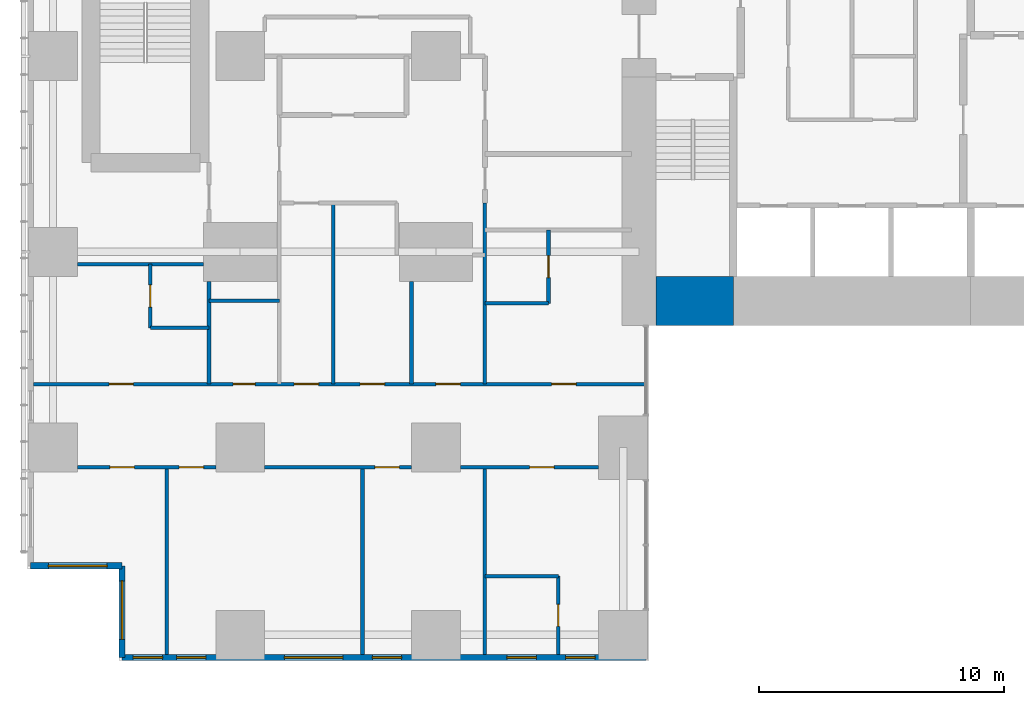
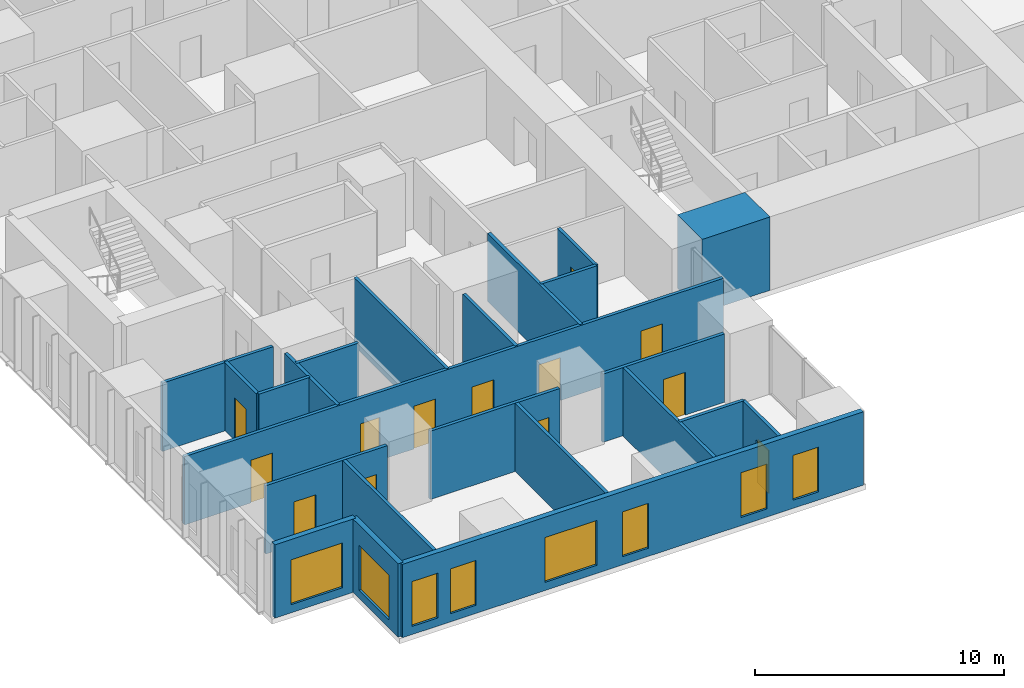
# One storey, part 12 of 21: 23 walls, 13 doors, 8 windows, 21 openings.
"""IFC4 building model written with IfcOpenShell, lengths in metres."""

from ifc_helpers import new_model, si_unit, direction, frame, frame_2d, origin, place, context, subcontext, project, spatial, rectangle, extrude, material, layer, layer_set, type_object, element, fill, save


model = new_model("IFC4")

# Units and contexts
model_context = context("Model", 3, precision=1e-05, world=origin(), true_north=direction((0.0, 1.0)))
body_context = subcontext(model_context, "Body", "Model", "MODEL_VIEW")
ifc_project = project(units=[si_unit("LENGTHUNIT", "METRE"), si_unit("AREAUNIT", "SQUARE_METRE"), si_unit("VOLUMEUNIT", "CUBIC_METRE"), si_unit("PLANEANGLEUNIT", "RADIAN"), si_unit("MASSUNIT", "GRAM", prefix="KILO")], contexts=[model_context])

# Site, building, storey
site_placement = place(None, origin())
site = spatial("IfcSite", under=ifc_project, at=site_placement, CompositionType="ELEMENT")
building_placement = place(site_placement, origin())
building = spatial("IfcBuilding", under=site, at=building_placement, Name="Cleftline Residences", CompositionType="ELEMENT")
storey_placement = place(building_placement, frame((0.0, 0.0, 161.0)))
storey = spatial("IfcBuildingStorey", under=building, at=storey_placement, Name="L42", CompositionType="ELEMENT", Elevation=161.0)

# Wall
ifc_material_1 = material(Name="Concrete B70", Category="concrete")
ifc_layer_1 = layer(ifc_material_1, 2.0)
ifc_layer_set_1 = layer_set([ifc_layer_1], Name="CORE WALL 2000")
wall_type_1 = type_object("IfcWallType", Name="CORE WALL 2000", PredefinedType="SHEAR", material=ifc_layer_set_1)
wall_1_placement = place(storey_placement, frame((25.0, 14.0, 0.0), z_axis=(0.0, 0.0, 1.0), x_axis=(1.0, 0.0, 0.0)))
element("IfcWall", 1, at=wall_1_placement, inside=storey, type_object=wall_type_1, Name="Core wall S1", PredefinedType="SHEAR", context=body_context, shape_type="SweptSolid", body=[
    extrude(rectangle(XDim=3.14990234375, YDim=2.0, at=frame_2d((1.574951171875, 0.0))), origin(), (0.0, 0.0, 1.0), 3.60009765625),
])

# Wall, opening, window
ifc_material_2 = material(Name="Rendered reinforced concrete blockwork", Category="masonry")
ifc_layer_2 = layer(ifc_material_2, 0.25)
ifc_layer_set_2 = layer_set([ifc_layer_2], Name="EXTERNAL WALL 250")
wall_type_2 = type_object("IfcWallType", Name="EXTERNAL WALL 250", PredefinedType="SOLIDWALL", material=ifc_layer_set_2)
wall_2_placement = place(storey_placement, frame((-0.574951171875, 3.175048828125, 0.0), z_axis=(0.0, 0.0, 1.0), x_axis=(1.0, 0.0, 0.0)))
wall_2 = element("IfcWall", 2, at=wall_2_placement, inside=storey, type_object=wall_type_2, Name="External wall", PredefinedType="SOLIDWALL", context=body_context, shape_type="SweptSolid", body=[
    extrude(rectangle(XDim=3.75, YDim=0.25, at=frame_2d((1.875, 0.0))), origin(), (0.0, 0.0, 1.0), 3.60009765625),
])
opening_1_placement = place(wall_2_placement, frame((0.737548828125, 0.0, 0.39990234375)))
opening_1 = element("IfcOpeningElement", 3, at=opening_1_placement, cuts=wall_2, Name="Opening W12", PredefinedType="OPENING", context=body_context, shape_type="SweptSolid", body=[
    extrude(rectangle(XDim=2.39990234375, YDim=2.199951171875, at=frame_2d((1.199951171875, 1.10009765625))), frame((0.0, 0.135009765625, 0.0), z_axis=(0.0, -1.0, 0.0), x_axis=(1.0, 0.0, 0.0)), (0.0, 0.0, 1.0), 0.27001953125),
])
ifc_material_3 = material(Name="Aluminium frame, clear double glazing", Category="aluminium")
window_type_1 = type_object("IfcWindowType", Name="WINDOW 2400X2200", PartitioningType="DOUBLE_PANEL_VERTICAL", PredefinedType="WINDOW", material=ifc_material_3)
window_1_placement = place(opening_1_placement, origin())
window_1 = element("IfcWindow", 4, at=window_1_placement, inside=storey, type_object=window_type_1, Name="Window", OverallHeight=2.199951171875, OverallWidth=2.39990234375, PartitioningType="SINGLE_PANEL", PredefinedType="WINDOW", context=body_context, shape_type="SweptSolid", body=[
    extrude(rectangle(XDim=2.39990234375, YDim=2.199951171875, at=frame_2d((1.199951171875, 1.10009765625))), frame((0.0, 0.030029296875, 0.0), z_axis=(0.0, -1.0, 0.0), x_axis=(1.0, 0.0, 0.0)), (0.0, 0.0, 1.0), 0.06005859375),
])
fill(opening_1, window_1)

wall_3_placement = place(storey_placement, frame((3.175048828125, 3.175048828125, 0.0), z_axis=(0.0, 0.0, 1.0), x_axis=(0.0, -1.0, 0.0)))
wall_3 = element("IfcWall", 5, at=wall_3_placement, inside=storey, type_object=wall_type_2, Name="External wall", PredefinedType="SOLIDWALL", context=body_context, shape_type="SweptSolid", body=[
    extrude(rectangle(XDim=3.75, YDim=0.25, at=frame_2d((1.875, 0.0))), origin(), (0.0, 0.0, 1.0), 3.60009765625),
])
opening_2_placement = place(wall_3_placement, frame((0.612548828125, 0.0, 0.39990234375)))
opening_2 = element("IfcOpeningElement", 6, at=opening_2_placement, cuts=wall_3, Name="Opening W12", PredefinedType="OPENING", context=body_context, shape_type="SweptSolid", body=[
    extrude(rectangle(XDim=2.39990234375, YDim=2.199951171875, at=frame_2d((1.199951171875, 1.10009765625))), frame((0.0, 0.135009765625, 0.0), z_axis=(0.0, -1.0, 0.0), x_axis=(1.0, 0.0, 0.0)), (0.0, 0.0, 1.0), 0.27001953125),
])
window_2_placement = place(opening_2_placement, origin())
window_2 = element("IfcWindow", 7, at=window_2_placement, inside=storey, type_object=window_type_1, Name="Window", OverallHeight=2.199951171875, OverallWidth=2.39990234375, PartitioningType="SINGLE_PANEL", PredefinedType="WINDOW", context=body_context, shape_type="SweptSolid", body=[
    extrude(rectangle(XDim=2.39990234375, YDim=2.199951171875, at=frame_2d((1.199951171875, 1.10009765625))), frame((0.0, 0.030029296875, 0.0), z_axis=(0.0, -1.0, 0.0), x_axis=(1.0, 0.0, 0.0)), (0.0, 0.0, 1.0), 0.06005859375),
])
fill(opening_2, window_2)

# Wall, openings, windows
wall_4_placement = place(storey_placement, frame((3.175048828125, -0.574951171875, 0.0), z_axis=(0.0, 0.0, 1.0), x_axis=(1.0, 0.0, 0.0)))
wall_4 = element("IfcWall", 8, at=wall_4_placement, inside=storey, type_object=wall_type_2, Name="External wall", PredefinedType="SOLIDWALL", context=body_context, shape_type="SweptSolid", body=[
    extrude(rectangle(XDim=21.39990234375, YDim=0.25, at=frame_2d((10.699951171875, 0.0))), origin(), (0.0, 0.0, 1.0), 3.60009765625),
])
opening_3_placement = place(wall_4_placement, frame((0.449951171875, 0.0, 0.39990234375)))
opening_3 = element("IfcOpeningElement", 9, at=opening_3_placement, cuts=wall_4, Name="Opening W11", PredefinedType="OPENING", context=body_context, shape_type="SweptSolid", body=[
    extrude(rectangle(XDim=1.199951171875, YDim=2.199951171875, at=frame_2d((0.60009765625, 1.10009765625))), frame((0.0, 0.135009765625, 0.0), z_axis=(0.0, -1.0, 0.0), x_axis=(1.0, 0.0, 0.0)), (0.0, 0.0, 1.0), 0.27001953125),
])
opening_4_placement = place(wall_4_placement, frame((2.22509765625, 0.0, 0.39990234375)))
opening_4 = element("IfcOpeningElement", 10, at=opening_4_placement, cuts=wall_4, Name="Opening W11", PredefinedType="OPENING", context=body_context, shape_type="SweptSolid", body=[
    extrude(rectangle(XDim=1.199951171875, YDim=2.199951171875, at=frame_2d((0.60009765625, 1.10009765625))), frame((0.0, 0.135009765625, 0.0), z_axis=(0.0, -1.0, 0.0), x_axis=(1.0, 0.0, 0.0)), (0.0, 0.0, 1.0), 0.27001953125),
])
opening_5_placement = place(wall_4_placement, frame((6.625, 0.0, 0.39990234375)))
opening_5 = element("IfcOpeningElement", 11, at=opening_5_placement, cuts=wall_4, Name="Opening W12", PredefinedType="OPENING", context=body_context, shape_type="SweptSolid", body=[
    extrude(rectangle(XDim=2.39990234375, YDim=2.199951171875, at=frame_2d((1.199951171875, 1.10009765625))), frame((0.0, 0.135009765625, 0.0), z_axis=(0.0, -1.0, 0.0), x_axis=(1.0, 0.0, 0.0)), (0.0, 0.0, 1.0), 0.27001953125),
])
opening_6_placement = place(wall_4_placement, frame((10.22509765625, 0.0, 0.39990234375)))
opening_6 = element("IfcOpeningElement", 12, at=opening_6_placement, cuts=wall_4, Name="Opening W11", PredefinedType="OPENING", context=body_context, shape_type="SweptSolid", body=[
    extrude(rectangle(XDim=1.199951171875, YDim=2.199951171875, at=frame_2d((0.60009765625, 1.10009765625))), frame((0.0, 0.135009765625, 0.0), z_axis=(0.0, -1.0, 0.0), x_axis=(1.0, 0.0, 0.0)), (0.0, 0.0, 1.0), 0.27001953125),
])
opening_7_placement = place(wall_4_placement, frame((15.72509765625, 0.0, 0.39990234375)))
opening_7 = element("IfcOpeningElement", 13, at=opening_7_placement, cuts=wall_4, Name="Opening W11", PredefinedType="OPENING", context=body_context, shape_type="SweptSolid", body=[
    extrude(rectangle(XDim=1.199951171875, YDim=2.199951171875, at=frame_2d((0.60009765625, 1.10009765625))), frame((0.0, 0.135009765625, 0.0), z_axis=(0.0, -1.0, 0.0), x_axis=(1.0, 0.0, 0.0)), (0.0, 0.0, 1.0), 0.27001953125),
])
opening_8_placement = place(wall_4_placement, frame((18.125, 0.0, 0.39990234375)))
opening_8 = element("IfcOpeningElement", 14, at=opening_8_placement, cuts=wall_4, Name="Opening W11", PredefinedType="OPENING", context=body_context, shape_type="SweptSolid", body=[
    extrude(rectangle(XDim=1.199951171875, YDim=2.199951171875, at=frame_2d((0.60009765625, 1.10009765625))), frame((0.0, 0.135009765625, 0.0), z_axis=(0.0, -1.0, 0.0), x_axis=(1.0, 0.0, 0.0)), (0.0, 0.0, 1.0), 0.27001953125),
])
ifc_material_4 = material(Name="Aluminium frame, clear double glazing", Category="aluminium")
window_type_2 = type_object("IfcWindowType", Name="WINDOW 1200X2200", PartitioningType="DOUBLE_PANEL_VERTICAL", PredefinedType="WINDOW", material=ifc_material_4)
window_3_placement = place(opening_3_placement, origin())
window_3 = element("IfcWindow", 15, at=window_3_placement, inside=storey, type_object=window_type_2, Name="Window", OverallHeight=2.199951171875, OverallWidth=1.199951171875, PartitioningType="SINGLE_PANEL", PredefinedType="WINDOW", context=body_context, shape_type="SweptSolid", body=[
    extrude(rectangle(XDim=1.199951171875, YDim=2.199951171875, at=frame_2d((0.60009765625, 1.10009765625))), frame((0.0, 0.030029296875, 0.0), z_axis=(0.0, -1.0, 0.0), x_axis=(1.0, 0.0, 0.0)), (0.0, 0.0, 1.0), 0.06005859375),
])
fill(opening_3, window_3)
window_4_placement = place(opening_4_placement, origin())
window_4 = element("IfcWindow", 16, at=window_4_placement, inside=storey, type_object=window_type_2, Name="Window", OverallHeight=2.199951171875, OverallWidth=1.199951171875, PartitioningType="SINGLE_PANEL", PredefinedType="WINDOW", context=body_context, shape_type="SweptSolid", body=[
    extrude(rectangle(XDim=1.199951171875, YDim=2.199951171875, at=frame_2d((0.60009765625, 1.10009765625))), frame((0.0, 0.030029296875, 0.0), z_axis=(0.0, -1.0, 0.0), x_axis=(1.0, 0.0, 0.0)), (0.0, 0.0, 1.0), 0.06005859375),
])
fill(opening_4, window_4)
window_5_placement = place(opening_6_placement, origin())
window_5 = element("IfcWindow", 17, at=window_5_placement, inside=storey, type_object=window_type_2, Name="Window", OverallHeight=2.199951171875, OverallWidth=1.199951171875, PartitioningType="SINGLE_PANEL", PredefinedType="WINDOW", context=body_context, shape_type="SweptSolid", body=[
    extrude(rectangle(XDim=1.199951171875, YDim=2.199951171875, at=frame_2d((0.60009765625, 1.10009765625))), frame((0.0, 0.030029296875, 0.0), z_axis=(0.0, -1.0, 0.0), x_axis=(1.0, 0.0, 0.0)), (0.0, 0.0, 1.0), 0.06005859375),
])
fill(opening_6, window_5)
window_6_placement = place(opening_7_placement, origin())
window_6 = element("IfcWindow", 18, at=window_6_placement, inside=storey, type_object=window_type_2, Name="Window", OverallHeight=2.199951171875, OverallWidth=1.199951171875, PartitioningType="SINGLE_PANEL", PredefinedType="WINDOW", context=body_context, shape_type="SweptSolid", body=[
    extrude(rectangle(XDim=1.199951171875, YDim=2.199951171875, at=frame_2d((0.60009765625, 1.10009765625))), frame((0.0, 0.030029296875, 0.0), z_axis=(0.0, -1.0, 0.0), x_axis=(1.0, 0.0, 0.0)), (0.0, 0.0, 1.0), 0.06005859375),
])
fill(opening_7, window_6)
window_7_placement = place(opening_8_placement, origin())
window_7 = element("IfcWindow", 19, at=window_7_placement, inside=storey, type_object=window_type_2, Name="Window", OverallHeight=2.199951171875, OverallWidth=1.199951171875, PartitioningType="SINGLE_PANEL", PredefinedType="WINDOW", context=body_context, shape_type="SweptSolid", body=[
    extrude(rectangle(XDim=1.199951171875, YDim=2.199951171875, at=frame_2d((0.60009765625, 1.10009765625))), frame((0.0, 0.030029296875, 0.0), z_axis=(0.0, -1.0, 0.0), x_axis=(1.0, 0.0, 0.0)), (0.0, 0.0, 1.0), 0.06005859375),
])
fill(opening_8, window_7)
window_8_placement = place(opening_5_placement, origin())
window_8 = element("IfcWindow", 20, at=window_8_placement, inside=storey, type_object=window_type_1, Name="Window", OverallHeight=2.199951171875, OverallWidth=2.39990234375, PartitioningType="SINGLE_PANEL", PredefinedType="WINDOW", context=body_context, shape_type="SweptSolid", body=[
    extrude(rectangle(XDim=2.39990234375, YDim=2.199951171875, at=frame_2d((1.199951171875, 1.10009765625))), frame((0.0, 0.030029296875, 0.0), z_axis=(0.0, -1.0, 0.0), x_axis=(1.0, 0.0, 0.0)), (0.0, 0.0, 1.0), 0.06005859375),
])
fill(opening_5, window_8)

# Wall
ifc_material_5 = material(Name="Gypsum board on steel studs", Category="steel")
ifc_layer_3 = layer(ifc_material_5, 0.14990234375)
ifc_layer_set_3 = layer_set([ifc_layer_3], Name="PARTITION 150")
wall_type_3 = type_object("IfcWallType", Name="PARTITION 150", PredefinedType="PARTITIONING", material=ifc_layer_set_3)
wall_5_placement = place(storey_placement, frame((18.0, 2.75, 0.0), z_axis=(0.0, 0.0, 1.0), x_axis=(1.0, 0.0, 0.0)))
element("IfcWall", 21, at=wall_5_placement, inside=storey, type_object=wall_type_3, Name="Partition", PredefinedType="PARTITIONING", context=body_context, shape_type="SweptSolid", body=[
    extrude(rectangle(XDim=3.0, YDim=0.14990234375, at=frame_2d((1.5, 0.0))), origin(), (0.0, 0.0, 1.0), 3.35009765625),
])

# Wall, openings, doors
wall_6_placement = place(storey_placement, frame((1.35009765625, 7.199951171875, 0.0), z_axis=(0.0, 0.0, 1.0), x_axis=(1.0, 0.0, 0.0)))
wall_6 = element("IfcWall", 22, at=wall_6_placement, inside=storey, type_object=wall_type_3, Name="Partition", PredefinedType="PARTITIONING", context=body_context, shape_type="SweptSolid", body=[
    extrude(rectangle(XDim=5.64990234375, YDim=0.14990234375, at=frame_2d((2.824951171875, 0.0))), origin(), (0.0, 0.0, 1.0), 3.35009765625),
])
opening_9_placement = place(wall_6_placement, frame((1.324951171875, 0.0, 0.0)))
opening_9 = element("IfcOpeningElement", 23, at=opening_9_placement, cuts=wall_6, Name="Opening D2", PredefinedType="OPENING", context=body_context, shape_type="SweptSolid", body=[
    extrude(rectangle(XDim=1.0, YDim=2.10009765625, at=frame_2d((0.5, 1.050048828125))), frame((0.0, 0.0849609375, 0.0), z_axis=(0.0, -1.0, 0.0), x_axis=(1.0, 0.0, 0.0)), (0.0, 0.0, 1.0), 0.169921875),
])
opening_10_placement = place(wall_6_placement, frame((4.14990234375, 0.0, 0.0)))
opening_10 = element("IfcOpeningElement", 24, at=opening_10_placement, cuts=wall_6, Name="Opening D2", PredefinedType="OPENING", context=body_context, shape_type="SweptSolid", body=[
    extrude(rectangle(XDim=1.0, YDim=2.10009765625, at=frame_2d((0.5, 1.050048828125))), frame((0.0, 0.0849609375, 0.0), z_axis=(0.0, -1.0, 0.0), x_axis=(1.0, 0.0, 0.0)), (0.0, 0.0, 1.0), 0.169921875),
])
ifc_material_6 = material(Name="Timber veneer on solid core", Category="wood")
door_type_1 = type_object("IfcDoorType", Name="DOOR 1000X2100", OperationType="SINGLE_SWING_LEFT", PredefinedType="DOOR", material=ifc_material_6)
door_1_placement = place(opening_9_placement, origin())
door_1 = element("IfcDoor", 25, at=door_1_placement, inside=storey, type_object=door_type_1, Name="Door to winter garden", OperationType="SINGLE_SWING_RIGHT", OverallHeight=2.10009765625, OverallWidth=1.0, PredefinedType="DOOR", context=body_context, shape_type="SweptSolid", body=[
    extrude(rectangle(XDim=1.0, YDim=2.10009765625, at=frame_2d((0.5, 1.050048828125))), frame((0.0, 0.02490234375, 0.0), z_axis=(0.0, -1.0, 0.0), x_axis=(1.0, 0.0, 0.0)), (0.0, 0.0, 1.0), 0.050048828125),
])
fill(opening_9, door_1)
door_2_placement = place(opening_10_placement, origin())
door_2 = element("IfcDoor", 26, at=door_2_placement, inside=storey, type_object=door_type_1, Name="Door to living and dining room", OperationType="SINGLE_SWING_LEFT", OverallHeight=2.10009765625, OverallWidth=1.0, PredefinedType="DOOR", context=body_context, shape_type="SweptSolid", body=[
    extrude(rectangle(XDim=1.0, YDim=2.10009765625, at=frame_2d((0.5, 1.050048828125))), frame((0.0, 0.02490234375, 0.0), z_axis=(0.0, -1.0, 0.0), x_axis=(1.0, 0.0, 0.0)), (0.0, 0.0, 1.0), 0.050048828125),
])
fill(opening_10, door_2)

# Wall, opening, door
wall_7_placement = place(storey_placement, frame((9.0, 7.199951171875, 0.0), z_axis=(0.0, 0.0, 1.0), x_axis=(1.0, 0.0, 0.0)))
wall_7 = element("IfcWall", 27, at=wall_7_placement, inside=storey, type_object=wall_type_3, Name="Partition", PredefinedType="PARTITIONING", context=body_context, shape_type="SweptSolid", body=[
    extrude(rectangle(XDim=6.0, YDim=0.14990234375, at=frame_2d((3.0, 0.0))), origin(), (0.0, 0.0, 1.0), 3.35009765625),
])
opening_11_placement = place(wall_7_placement, frame((4.5, 0.0, 0.0)))
opening_11 = element("IfcOpeningElement", 28, at=opening_11_placement, cuts=wall_7, Name="Opening D2", PredefinedType="OPENING", context=body_context, shape_type="SweptSolid", body=[
    extrude(rectangle(XDim=1.0, YDim=2.10009765625, at=frame_2d((0.5, 1.050048828125))), frame((0.0, 0.0849609375, 0.0), z_axis=(0.0, -1.0, 0.0), x_axis=(1.0, 0.0, 0.0)), (0.0, 0.0, 1.0), 0.169921875),
])
door_3_placement = place(opening_11_placement, origin())
door_3 = element("IfcDoor", 29, at=door_3_placement, inside=storey, type_object=door_type_1, Name="Door to show kitchen", OperationType="SINGLE_SWING_LEFT", OverallHeight=2.10009765625, OverallWidth=1.0, PredefinedType="DOOR", context=body_context, shape_type="SweptSolid", body=[
    extrude(rectangle(XDim=1.0, YDim=2.10009765625, at=frame_2d((0.5, 1.050048828125))), frame((0.0, 0.02490234375, 0.0), z_axis=(0.0, -1.0, 0.0), x_axis=(1.0, 0.0, 0.0)), (0.0, 0.0, 1.0), 0.050048828125),
])
fill(opening_11, door_3)

wall_8_placement = place(storey_placement, frame((17.0, 7.199951171875, 0.0), z_axis=(0.0, 0.0, 1.0), x_axis=(1.0, 0.0, 0.0)))
wall_8 = element("IfcWall", 30, at=wall_8_placement, inside=storey, type_object=wall_type_3, Name="Partition", PredefinedType="PARTITIONING", context=body_context, shape_type="SweptSolid", body=[
    extrude(rectangle(XDim=5.64990234375, YDim=0.14990234375, at=frame_2d((2.824951171875, 0.0))), origin(), (0.0, 0.0, 1.0), 3.35009765625),
])
opening_12_placement = place(wall_8_placement, frame((2.824951171875, 0.0, 0.0)))
opening_12 = element("IfcOpeningElement", 31, at=opening_12_placement, cuts=wall_8, Name="Opening D2", PredefinedType="OPENING", context=body_context, shape_type="SweptSolid", body=[
    extrude(rectangle(XDim=1.0, YDim=2.10009765625, at=frame_2d((0.5, 1.050048828125))), frame((0.0, 0.0849609375, 0.0), z_axis=(0.0, -1.0, 0.0), x_axis=(1.0, 0.0, 0.0)), (0.0, 0.0, 1.0), 0.169921875),
])
door_4_placement = place(opening_12_placement, origin())
door_4 = element("IfcDoor", 32, at=door_4_placement, inside=storey, type_object=door_type_1, Name="Door to master bedroom", OperationType="SINGLE_SWING_LEFT", OverallHeight=2.10009765625, OverallWidth=1.0, PredefinedType="DOOR", context=body_context, shape_type="SweptSolid", body=[
    extrude(rectangle(XDim=1.0, YDim=2.10009765625, at=frame_2d((0.5, 1.050048828125))), frame((0.0, 0.02490234375, 0.0), z_axis=(0.0, -1.0, 0.0), x_axis=(1.0, 0.0, 0.0)), (0.0, 0.0, 1.0), 0.050048828125),
])
fill(opening_12, door_4)

# Wall, openings, doors
wall_9_placement = place(storey_placement, frame((-0.449951171875, 10.60009765625, 0.0), z_axis=(0.0, 0.0, 1.0), x_axis=(1.0, 0.0, 0.0)))
wall_9 = element("IfcWall", 33, at=wall_9_placement, inside=storey, type_object=wall_type_3, Name="Partition", PredefinedType="PARTITIONING", context=body_context, shape_type="SweptSolid", body=[
    extrude(rectangle(XDim=25.010986328125, YDim=0.14990234375, at=frame_2d((12.50537109375, 0.0))), origin(), (0.0, 0.0, 1.0), 3.35009765625),
])
opening_13_placement = place(wall_9_placement, frame((10.64990234375, 0.0, 0.0)))
opening_13 = element("IfcOpeningElement", 34, at=opening_13_placement, cuts=wall_9, Name="Opening D2", PredefinedType="OPENING", context=body_context, shape_type="SweptSolid", body=[
    extrude(rectangle(XDim=1.0, YDim=2.10009765625, at=frame_2d((0.5, 1.050048828125))), frame((0.0, 0.0849609375, 0.0), z_axis=(0.0, -1.0, 0.0), x_axis=(1.0, 0.0, 0.0)), (0.0, 0.0, 1.0), 0.169921875),
])
opening_14_placement = place(wall_9_placement, frame((3.08740234375, 0.0, 0.0)))
opening_14 = element("IfcOpeningElement", 35, at=opening_14_placement, cuts=wall_9, Name="Opening D2", PredefinedType="OPENING", context=body_context, shape_type="SweptSolid", body=[
    extrude(rectangle(XDim=1.0, YDim=2.10009765625, at=frame_2d((0.5, 1.050048828125))), frame((0.0, 0.0849609375, 0.0), z_axis=(0.0, -1.0, 0.0), x_axis=(1.0, 0.0, 0.0)), (0.0, 0.0, 1.0), 0.169921875),
])
opening_15_placement = place(wall_9_placement, frame((8.16259765625, 0.0, 0.0)))
opening_15 = element("IfcOpeningElement", 36, at=opening_15_placement, cuts=wall_9, Name="Opening D1", PredefinedType="OPENING", context=body_context, shape_type="SweptSolid", body=[
    extrude(rectangle(XDim=0.89990234375, YDim=2.10009765625, at=frame_2d((0.449951171875, 1.050048828125))), frame((0.0, 0.0849609375, 0.0), z_axis=(0.0, -1.0, 0.0), x_axis=(1.0, 0.0, 0.0)), (0.0, 0.0, 1.0), 0.169921875),
])
opening_16_placement = place(wall_9_placement, frame((13.35009765625, 0.0, 0.0)))
opening_16 = element("IfcOpeningElement", 37, at=opening_16_placement, cuts=wall_9, Name="Opening D2", PredefinedType="OPENING", context=body_context, shape_type="SweptSolid", body=[
    extrude(rectangle(XDim=1.0, YDim=2.10009765625, at=frame_2d((0.5, 1.050048828125))), frame((0.0, 0.0849609375, 0.0), z_axis=(0.0, -1.0, 0.0), x_axis=(1.0, 0.0, 0.0)), (0.0, 0.0, 1.0), 0.169921875),
])
opening_17_placement = place(wall_9_placement, frame((16.449951171875, 0.0, 0.0)))
opening_17 = element("IfcOpeningElement", 38, at=opening_17_placement, cuts=wall_9, Name="Opening D2", PredefinedType="OPENING", context=body_context, shape_type="SweptSolid", body=[
    extrude(rectangle(XDim=1.0, YDim=2.10009765625, at=frame_2d((0.5, 1.050048828125))), frame((0.0, 0.0849609375, 0.0), z_axis=(0.0, -1.0, 0.0), x_axis=(1.0, 0.0, 0.0)), (0.0, 0.0, 1.0), 0.169921875),
])
opening_18_placement = place(wall_9_placement, frame((21.175048828125, 0.0, 0.0)))
opening_18 = element("IfcOpeningElement", 39, at=opening_18_placement, cuts=wall_9, Name="Opening D2", PredefinedType="OPENING", context=body_context, shape_type="SweptSolid", body=[
    extrude(rectangle(XDim=1.0, YDim=2.10009765625, at=frame_2d((0.5, 1.050048828125))), frame((0.0, 0.0849609375, 0.0), z_axis=(0.0, -1.0, 0.0), x_axis=(1.0, 0.0, 0.0)), (0.0, 0.0, 1.0), 0.169921875),
])
door_5_placement = place(opening_13_placement, origin())
door_5 = element("IfcDoor", 40, at=door_5_placement, inside=storey, type_object=door_type_1, Name="Door to residence hall", OperationType="SINGLE_SWING_RIGHT", OverallHeight=2.10009765625, OverallWidth=1.0, PredefinedType="DOOR", context=body_context, shape_type="SweptSolid", body=[
    extrude(rectangle(XDim=1.0, YDim=2.10009765625, at=frame_2d((0.5, 1.050048828125))), frame((0.0, 0.02490234375, 0.0), z_axis=(0.0, -1.0, 0.0), x_axis=(1.0, 0.0, 0.0)), (0.0, 0.0, 1.0), 0.050048828125),
])
fill(opening_13, door_5)
door_6_placement = place(opening_14_placement, origin())
door_6 = element("IfcDoor", 41, at=door_6_placement, inside=storey, type_object=door_type_1, Name="Door to bedroom 2", OperationType="SINGLE_SWING_RIGHT", OverallHeight=2.10009765625, OverallWidth=1.0, PredefinedType="DOOR", context=body_context, shape_type="SweptSolid", body=[
    extrude(rectangle(XDim=1.0, YDim=2.10009765625, at=frame_2d((0.5, 1.050048828125))), frame((0.0, 0.02490234375, 0.0), z_axis=(0.0, -1.0, 0.0), x_axis=(1.0, 0.0, 0.0)), (0.0, 0.0, 1.0), 0.050048828125),
])
fill(opening_14, door_6)
door_7_placement = place(opening_16_placement, origin())
door_7 = element("IfcDoor", 42, at=door_7_placement, inside=storey, type_object=door_type_1, Name="Door to family room", OperationType="SINGLE_SWING_LEFT", OverallHeight=2.10009765625, OverallWidth=1.0, PredefinedType="DOOR", context=body_context, shape_type="SweptSolid", body=[
    extrude(rectangle(XDim=1.0, YDim=2.10009765625, at=frame_2d((0.5, 1.050048828125))), frame((0.0, 0.02490234375, 0.0), z_axis=(0.0, -1.0, 0.0), x_axis=(1.0, 0.0, 0.0)), (0.0, 0.0, 1.0), 0.050048828125),
])
fill(opening_16, door_7)
door_8_placement = place(opening_17_placement, origin())
door_8 = element("IfcDoor", 43, at=door_8_placement, inside=storey, type_object=door_type_1, Name="Door to wet kitchen", OperationType="SINGLE_SWING_LEFT", OverallHeight=2.10009765625, OverallWidth=1.0, PredefinedType="DOOR", context=body_context, shape_type="SweptSolid", body=[
    extrude(rectangle(XDim=1.0, YDim=2.10009765625, at=frame_2d((0.5, 1.050048828125))), frame((0.0, 0.02490234375, 0.0), z_axis=(0.0, -1.0, 0.0), x_axis=(1.0, 0.0, 0.0)), (0.0, 0.0, 1.0), 0.050048828125),
])
fill(opening_17, door_8)
door_9_placement = place(opening_18_placement, origin())
door_9 = element("IfcDoor", 44, at=door_9_placement, inside=storey, type_object=door_type_1, Name="Door to bedroom 3", OperationType="SINGLE_SWING_LEFT", OverallHeight=2.10009765625, OverallWidth=1.0, PredefinedType="DOOR", context=body_context, shape_type="SweptSolid", body=[
    extrude(rectangle(XDim=1.0, YDim=2.10009765625, at=frame_2d((0.5, 1.050048828125))), frame((0.0, 0.02490234375, 0.0), z_axis=(0.0, -1.0, 0.0), x_axis=(1.0, 0.0, 0.0)), (0.0, 0.0, 1.0), 0.050048828125),
])
fill(opening_18, door_9)
ifc_material_7 = material(Name="Timber veneer on solid core", Category="wood")
door_type_2 = type_object("IfcDoorType", Name="DOOR 900X2100", OperationType="SINGLE_SWING_LEFT", PredefinedType="DOOR", material=ifc_material_7)
door_10_placement = place(opening_15_placement, origin())
door_10 = element("IfcDoor", 45, at=door_10_placement, inside=storey, type_object=door_type_2, Name="Door to linen store", OperationType="SINGLE_SWING_RIGHT", OverallHeight=2.10009765625, OverallWidth=0.89990234375, PredefinedType="DOOR", context=body_context, shape_type="SweptSolid", body=[
    extrude(rectangle(XDim=0.89990234375, YDim=2.10009765625, at=frame_2d((0.449951171875, 1.050048828125))), frame((0.0, 0.02490234375, 0.0), z_axis=(0.0, -1.0, 0.0), x_axis=(1.0, 0.0, 0.0)), (0.0, 0.0, 1.0), 0.050048828125),
])
fill(opening_15, door_10)

# Walls
wall_10_placement = place(storey_placement, frame((4.324951171875, 12.89990234375, 0.0), z_axis=(0.0, 0.0, 1.0), x_axis=(1.0, 0.0, 0.0)))
element("IfcWall", 46, at=wall_10_placement, inside=storey, type_object=wall_type_3, Name="Partition", PredefinedType="PARTITIONING", context=body_context, shape_type="SweptSolid", body=[
    extrude(rectangle(XDim=2.400146484375, YDim=0.14990234375, at=frame_2d((1.2001953125, 0.0))), origin(), (0.0, 0.0, 1.0), 3.35009765625),
])
wall_11_placement = place(storey_placement, frame((18.0, 13.89990234375, 0.0), z_axis=(0.0, 0.0, 1.0), x_axis=(1.0, 0.0, 0.0)))
element("IfcWall", 47, at=wall_11_placement, inside=storey, type_object=wall_type_3, Name="Partition", PredefinedType="PARTITIONING", context=body_context, shape_type="SweptSolid", body=[
    extrude(rectangle(XDim=2.60009765625, YDim=0.14990234375, at=frame_2d((1.300048828125, 0.0))), origin(), (0.0, 0.0, 1.0), 3.35009765625),
])
wall_12_placement = place(storey_placement, frame((6.72509765625, 14.0, 0.0), z_axis=(0.0, 0.0, 1.0), x_axis=(1.0, 0.0, 0.0)))
element("IfcWall", 48, at=wall_12_placement, inside=storey, type_object=wall_type_3, Name="Partition", PredefinedType="PARTITIONING", context=body_context, shape_type="SweptSolid", body=[
    extrude(rectangle(XDim=2.875, YDim=0.14990234375, at=frame_2d((1.4375, 0.0))), origin(), (0.0, 0.0, 1.0), 3.35009765625),
])
wall_13_placement = place(storey_placement, frame((1.35009765625, 15.5, 0.0), z_axis=(0.0, 0.0, 1.0), x_axis=(1.0, 0.0, 0.0)))
element("IfcWall", 49, at=wall_13_placement, inside=storey, type_object=wall_type_3, Name="Partition", PredefinedType="PARTITIONING", context=body_context, shape_type="SweptSolid", body=[
    extrude(rectangle(XDim=5.14990234375, YDim=0.14990234375, at=frame_2d((2.574951171875, 0.0))), origin(), (0.0, 0.0, 1.0), 3.35009765625),
])

# Wall, opening, door
wall_14_placement = place(storey_placement, frame((4.324951171875, 12.89990234375, 0.0), z_axis=(0.0, 0.0, 1.0), x_axis=(0.0, 1.0, 0.0)))
wall_14 = element("IfcWall", 50, at=wall_14_placement, inside=storey, type_object=wall_type_3, Name="Partition", PredefinedType="PARTITIONING", context=body_context, shape_type="SweptSolid", body=[
    extrude(rectangle(XDim=2.60009765625, YDim=0.14990234375, at=frame_2d((1.300048828125, 0.0))), origin(), (0.0, 0.0, 1.0), 3.35009765625),
])
opening_19_placement = place(wall_14_placement, frame((0.85009765625, 0.0, 0.0)))
opening_19 = element("IfcOpeningElement", 51, at=opening_19_placement, cuts=wall_14, Name="Opening D1", PredefinedType="OPENING", context=body_context, shape_type="SweptSolid", body=[
    extrude(rectangle(XDim=0.89990234375, YDim=2.10009765625, at=frame_2d((0.449951171875, 1.050048828125))), frame((0.0, 0.0849609375, 0.0), z_axis=(0.0, -1.0, 0.0), x_axis=(1.0, 0.0, 0.0)), (0.0, 0.0, 1.0), 0.169921875),
])
door_11_placement = place(opening_19_placement, origin())
door_11 = element("IfcDoor", 52, at=door_11_placement, inside=storey, type_object=door_type_2, Name="Door to en-suite bathroom 2", OperationType="SINGLE_SWING_LEFT", OverallHeight=2.10009765625, OverallWidth=0.89990234375, PredefinedType="DOOR", context=body_context, shape_type="SweptSolid", body=[
    extrude(rectangle(XDim=0.89990234375, YDim=2.10009765625, at=frame_2d((0.449951171875, 1.050048828125))), frame((0.0, 0.02490234375, 0.0), z_axis=(0.0, -1.0, 0.0), x_axis=(1.0, 0.0, 0.0)), (0.0, 0.0, 1.0), 0.050048828125),
])
fill(opening_19, door_11)

# Walls
wall_15_placement = place(storey_placement, frame((5.0, -0.449951171875, 0.0), z_axis=(0.0, 0.0, 1.0), x_axis=(0.0, 1.0, 0.0)))
element("IfcWall", 53, at=wall_15_placement, inside=storey, type_object=wall_type_3, Name="Partition", PredefinedType="PARTITIONING", context=body_context, shape_type="SweptSolid", body=[
    extrude(rectangle(XDim=7.64990234375, YDim=0.14990234375, at=frame_2d((3.824951171875, 0.0))), origin(), (0.0, 0.0, 1.0), 3.35009765625),
])
wall_16_placement = place(storey_placement, frame((6.72509765625, 10.60009765625, 0.0), z_axis=(0.0, 0.0, 1.0), x_axis=(0.0, 1.0, 0.0)))
element("IfcWall", 54, at=wall_16_placement, inside=storey, type_object=wall_type_3, Name="Partition", PredefinedType="PARTITIONING", context=body_context, shape_type="SweptSolid", body=[
    extrude(rectangle(XDim=4.199951171875, YDim=0.14990234375, at=frame_2d((2.10009765625, 0.0))), origin(), (0.0, 0.0, 1.0), 3.35009765625),
])
wall_17_placement = place(storey_placement, frame((11.800048828125, 10.60009765625, 0.0), z_axis=(0.0, 0.0, 1.0), x_axis=(0.0, 1.0, 0.0)))
element("IfcWall", 55, at=wall_17_placement, inside=storey, type_object=wall_type_3, Name="Partition", PredefinedType="PARTITIONING", context=body_context, shape_type="SweptSolid", body=[
    extrude(rectangle(XDim=7.39990234375, YDim=0.14990234375, at=frame_2d((3.699951171875, 0.0))), origin(), (0.0, 0.0, 1.0), 3.35009765625),
])
wall_18_placement = place(storey_placement, frame((13.0, -0.449951171875, 0.0), z_axis=(0.0, 0.0, 1.0), x_axis=(0.0, 1.0, 0.0)))
element("IfcWall", 56, at=wall_18_placement, inside=storey, type_object=wall_type_3, Name="Partition", PredefinedType="PARTITIONING", context=body_context, shape_type="SweptSolid", body=[
    extrude(rectangle(XDim=7.64990234375, YDim=0.14990234375, at=frame_2d((3.824951171875, 0.0))), origin(), (0.0, 0.0, 1.0), 3.35009765625),
])
wall_19_placement = place(storey_placement, frame((15.0, 10.60009765625, 0.0), z_axis=(0.0, 0.0, 1.0), x_axis=(0.0, 1.0, 0.0)))
element("IfcWall", 57, at=wall_19_placement, inside=storey, type_object=wall_type_3, Name="Partition", PredefinedType="PARTITIONING", context=body_context, shape_type="SweptSolid", body=[
    extrude(rectangle(XDim=4.199951171875, YDim=0.14990234375, at=frame_2d((2.10009765625, 0.0))), origin(), (0.0, 0.0, 1.0), 3.35009765625),
])
wall_20_placement = place(storey_placement, frame((18.0, -0.449951171875, 0.0), z_axis=(0.0, 0.0, 1.0), x_axis=(0.0, 1.0, 0.0)))
element("IfcWall", 58, at=wall_20_placement, inside=storey, type_object=wall_type_3, Name="Partition", PredefinedType="PARTITIONING", context=body_context, shape_type="SweptSolid", body=[
    extrude(rectangle(XDim=7.64990234375, YDim=0.14990234375, at=frame_2d((3.824951171875, 0.0))), origin(), (0.0, 0.0, 1.0), 3.35009765625),
])
wall_21_placement = place(storey_placement, frame((18.0, 10.60009765625, 0.0), z_axis=(0.0, 0.0, 1.0), x_axis=(0.0, 1.0, 0.0)))
element("IfcWall", 59, at=wall_21_placement, inside=storey, type_object=wall_type_3, Name="Partition", PredefinedType="PARTITIONING", context=body_context, shape_type="SweptSolid", body=[
    extrude(rectangle(XDim=7.39990234375, YDim=0.14990234375, at=frame_2d((3.699951171875, 0.0))), origin(), (0.0, 0.0, 1.0), 3.35009765625),
])

# Wall, opening, door
wall_22_placement = place(storey_placement, frame((20.60009765625, 13.89990234375, 0.0), z_axis=(0.0, 0.0, 1.0), x_axis=(0.0, 1.0, 0.0)))
wall_22 = element("IfcWall", 60, at=wall_22_placement, inside=storey, type_object=wall_type_3, Name="Partition", PredefinedType="PARTITIONING", context=body_context, shape_type="SweptSolid", body=[
    extrude(rectangle(XDim=3.0, YDim=0.14990234375, at=frame_2d((1.5, 0.0))), origin(), (0.0, 0.0, 1.0), 3.35009765625),
])
opening_20_placement = place(wall_22_placement, frame((1.050048828125, 0.0, 0.0)))
opening_20 = element("IfcOpeningElement", 61, at=opening_20_placement, cuts=wall_22, Name="Opening D1", PredefinedType="OPENING", context=body_context, shape_type="SweptSolid", body=[
    extrude(rectangle(XDim=0.89990234375, YDim=2.10009765625, at=frame_2d((0.449951171875, 1.050048828125))), frame((0.0, 0.0849609375, 0.0), z_axis=(0.0, -1.0, 0.0), x_axis=(1.0, 0.0, 0.0)), (0.0, 0.0, 1.0), 0.169921875),
])
door_12_placement = place(opening_20_placement, origin())
door_12 = element("IfcDoor", 62, at=door_12_placement, inside=storey, type_object=door_type_2, Name="Door to en-suite bathroom 3", OperationType="SINGLE_SWING_LEFT", OverallHeight=2.10009765625, OverallWidth=0.89990234375, PredefinedType="DOOR", context=body_context, shape_type="SweptSolid", body=[
    extrude(rectangle(XDim=0.89990234375, YDim=2.10009765625, at=frame_2d((0.449951171875, 1.050048828125))), frame((0.0, 0.02490234375, 0.0), z_axis=(0.0, -1.0, 0.0), x_axis=(1.0, 0.0, 0.0)), (0.0, 0.0, 1.0), 0.050048828125),
])
fill(opening_20, door_12)

wall_23_placement = place(storey_placement, frame((21.0, -0.449951171875, 0.0), z_axis=(0.0, 0.0, 1.0), x_axis=(0.0, 1.0, 0.0)))
wall_23 = element("IfcWall", 63, at=wall_23_placement, inside=storey, type_object=wall_type_3, Name="Partition", PredefinedType="PARTITIONING", context=body_context, shape_type="SweptSolid", body=[
    extrude(rectangle(XDim=3.199951171875, YDim=0.14990234375, at=frame_2d((1.60009765625, 0.0))), origin(), (0.0, 0.0, 1.0), 3.35009765625),
])
opening_21_placement = place(wall_23_placement, frame((1.14990234375, 0.0, 0.0)))
opening_21 = element("IfcOpeningElement", 64, at=opening_21_placement, cuts=wall_23, Name="Opening D1", PredefinedType="OPENING", context=body_context, shape_type="SweptSolid", body=[
    extrude(rectangle(XDim=0.89990234375, YDim=2.10009765625, at=frame_2d((0.449951171875, 1.050048828125))), frame((0.0, 0.0849609375, 0.0), z_axis=(0.0, -1.0, 0.0), x_axis=(1.0, 0.0, 0.0)), (0.0, 0.0, 1.0), 0.169921875),
])
door_13_placement = place(opening_21_placement, origin())
door_13 = element("IfcDoor", 65, at=door_13_placement, inside=storey, type_object=door_type_2, Name="Door to master bathroom", OperationType="SINGLE_SWING_LEFT", OverallHeight=2.10009765625, OverallWidth=0.89990234375, PredefinedType="DOOR", context=body_context, shape_type="SweptSolid", body=[
    extrude(rectangle(XDim=0.89990234375, YDim=2.10009765625, at=frame_2d((0.449951171875, 1.050048828125))), frame((0.0, 0.02490234375, 0.0), z_axis=(0.0, -1.0, 0.0), x_axis=(1.0, 0.0, 0.0)), (0.0, 0.0, 1.0), 0.050048828125),
])
fill(opening_21, door_13)

save(model, "model.ifc")
